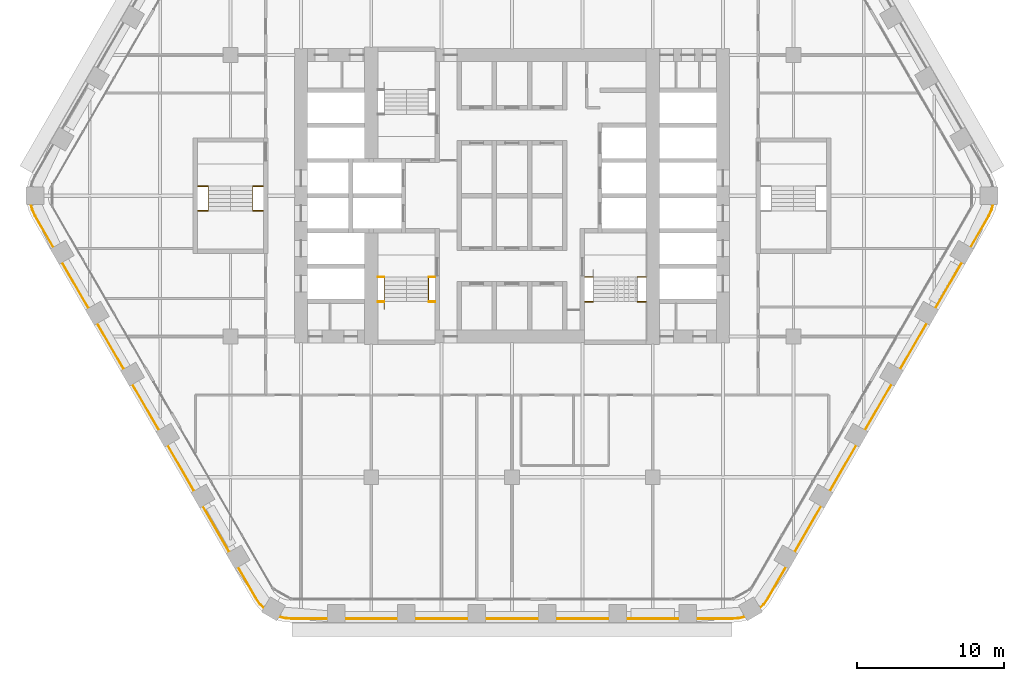
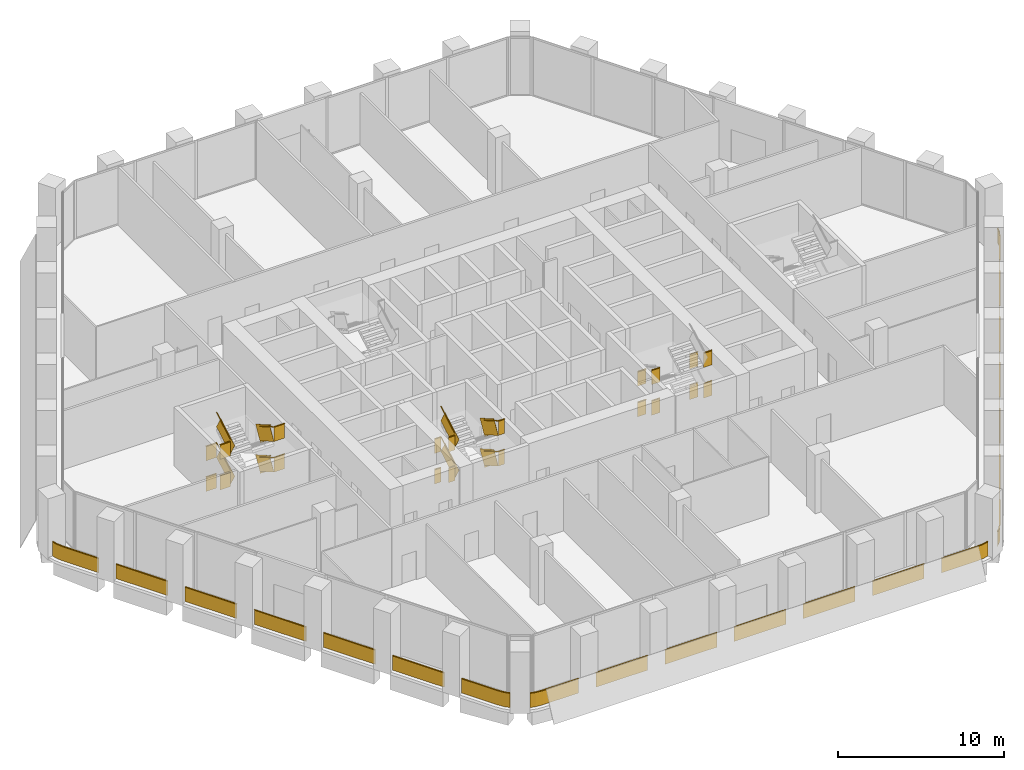
# One storey, part 22 of 23: 8 railings.
"""IFC4 building model written with IfcOpenShell, lengths in metres."""

from ifc_helpers import new_model, si_unit, direction, frame, frame_2d, origin, origin_2d, place, context, subcontext, project, spatial, rectangle, extrude, material, type_object, element, save


model = new_model("IFC4")

# Units and contexts
model_context = context("Model", 3, precision=1e-05, world=origin(), true_north=direction((0.0, 1.0)))
body_context = subcontext(model_context, "Body", "Model", "MODEL_VIEW")
ifc_project = project(units=[si_unit("LENGTHUNIT", "METRE"), si_unit("AREAUNIT", "SQUARE_METRE"), si_unit("VOLUMEUNIT", "CUBIC_METRE"), si_unit("PLANEANGLEUNIT", "RADIAN"), si_unit("MASSUNIT", "GRAM", prefix="KILO")], contexts=[model_context])

# Site, building, storey
site_placement = place(None, origin())
site = spatial("IfcSite", under=ifc_project, at=site_placement, CompositionType="ELEMENT")
building_placement = place(site_placement, origin())
building = spatial("IfcBuilding", under=site, at=building_placement, Name="Kolab Exchange Tower", CompositionType="ELEMENT")
storey_placement = place(building_placement, frame((0.0, 0.0, 100.39990234375)))
storey = spatial("IfcBuildingStorey", under=building, at=storey_placement, Name="L19", CompositionType="ELEMENT", Elevation=100.39990234375)

# Railings
ifc_material_1 = material(Name="Stainless steel 316", Category="steel")
railing_type_1 = type_object("IfcRailingType", Name="GUARD 1100", PredefinedType="GUARDRAIL", material=ifc_material_1)
railing_1_placement = place(storey_placement, frame((-9.14990234375, -5.550048828125, 0.0)))
element("IfcRailing", 1, at=railing_1_placement, inside=storey, type_object=railing_type_1, Name="Guard ST3", PredefinedType="GUARDRAIL", context=body_context, shape_type="SweptSolid", body=[
    extrude(rectangle(XDim=0.05, YDim=0.05, at=origin_2d()), frame((0.0, 0.0, 1.0751953125), z_axis=(1.0, 0.0, 0.0), x_axis=(0.0, 1.0, 0.0)), (0.0, 0.0, 1.0), 0.43994140625),
    extrude(rectangle(XDim=0.012, YDim=1.05009765625, at=frame_2d((0.0, 0.525146484375))), frame((0.0, 0.0, 0.0), z_axis=(1.0, 0.0, 0.0), x_axis=(0.0, 1.0, 0.0)), (0.0, 0.0, 1.0), 0.43994140625),
    extrude(rectangle(XDim=0.05, YDim=0.05, at=origin_2d()), frame((3.4599609375, 0.0, 1.0751953125), z_axis=(1.0, 0.0, 0.0), x_axis=(0.0, 1.0, 0.0)), (0.0, 0.0, 1.0), 0.43994140625),
    extrude(rectangle(XDim=0.012, YDim=1.05009765625, at=frame_2d((0.0, 0.525146484375))), frame((3.4599609375, 0.0, 0.0), z_axis=(1.0, 0.0, 0.0), x_axis=(0.0, 1.0, 0.0)), (0.0, 0.0, 1.0), 0.43994140625),
    extrude(rectangle(XDim=0.05, YDim=0.05, at=origin_2d()), frame((0.0, -1.679931640625, 2.2001953125), z_axis=(1.0, 0.0, 0.0), x_axis=(0.0, 1.0, 0.0)), (0.0, 0.0, 1.0), 0.43994140625),
    extrude(rectangle(XDim=0.012, YDim=1.05009765625, at=frame_2d((0.0, 0.525146484375))), frame((0.0, -1.679931640625, 1.125), z_axis=(1.0, 0.0, 0.0), x_axis=(0.0, 1.0, 0.0)), (0.0, 0.0, 1.0), 0.43994140625),
    extrude(rectangle(XDim=0.05, YDim=0.05, at=origin_2d()), frame((3.4599609375, -1.679931640625, 2.2001953125), z_axis=(1.0, 0.0, 0.0), x_axis=(0.0, 1.0, 0.0)), (0.0, 0.0, 1.0), 0.43994140625),
    extrude(rectangle(XDim=0.012, YDim=1.05009765625, at=frame_2d((0.0, 0.525146484375))), frame((3.4599609375, -1.679931640625, 1.125), z_axis=(1.0, 0.0, 0.0), x_axis=(0.0, 1.0, 0.0)), (0.0, 0.0, 1.0), 0.43994140625),
    extrude(rectangle(XDim=0.05, YDim=0.05, at=origin_2d()), frame((0.0, 0.0, 3.3251953125), z_axis=(1.0, 0.0, 0.0), x_axis=(0.0, 1.0, 0.0)), (0.0, 0.0, 1.0), 0.43994140625),
    extrude(rectangle(XDim=0.012, YDim=1.05009765625, at=frame_2d((0.0, 0.525146484375))), frame((0.0, 0.0, 2.25), z_axis=(1.0, 0.0, 0.0), x_axis=(0.0, 1.0, 0.0)), (0.0, 0.0, 1.0), 0.43994140625),
    extrude(rectangle(XDim=0.05, YDim=0.05, at=origin_2d()), frame((3.4599609375, 0.0, 3.3251953125), z_axis=(1.0, 0.0, 0.0), x_axis=(0.0, 1.0, 0.0)), (0.0, 0.0, 1.0), 0.43994140625),
    extrude(rectangle(XDim=0.012, YDim=1.05009765625, at=frame_2d((0.0, 0.525146484375))), frame((3.4599609375, 0.0, 2.25), z_axis=(1.0, 0.0, 0.0), x_axis=(0.0, 1.0, 0.0)), (0.0, 0.0, 1.0), 0.43994140625),
    extrude(rectangle(XDim=0.05, YDim=0.05, at=origin_2d()), frame((0.0, -1.679931640625, 4.4501953125), z_axis=(1.0, 0.0, 0.0), x_axis=(0.0, 1.0, 0.0)), (0.0, 0.0, 1.0), 0.43994140625),
    extrude(rectangle(XDim=0.012, YDim=1.05009765625, at=frame_2d((0.0, 0.525146484375))), frame((0.0, -1.679931640625, 3.375), z_axis=(1.0, 0.0, 0.0), x_axis=(0.0, 1.0, 0.0)), (0.0, 0.0, 1.0), 0.43994140625),
    extrude(rectangle(XDim=0.05, YDim=0.05, at=origin_2d()), frame((3.4599609375, -1.679931640625, 4.4501953125), z_axis=(1.0, 0.0, 0.0), x_axis=(0.0, 1.0, 0.0)), (0.0, 0.0, 1.0), 0.43994140625),
    extrude(rectangle(XDim=0.012, YDim=1.05009765625, at=frame_2d((0.0, 0.525146484375))), frame((3.4599609375, -1.679931640625, 3.375), z_axis=(1.0, 0.0, 0.0), x_axis=(0.0, 1.0, 0.0)), (0.0, 0.0, 1.0), 0.43994140625),
])
railing_2_placement = place(storey_placement, frame((-5.68994140625, -5.550048828125, 0.160888671875)))
element("IfcRailing", 2, at=railing_2_placement, inside=storey, type_object=railing_type_1, Name="Handrail guard ST3", PredefinedType="GUARDRAIL", context=body_context, shape_type="SweptSolid", body=[
    extrude(rectangle(XDim=0.05, YDim=0.05, at=origin_2d()), frame((0.0, 0.0, 1.0751953125), z_axis=(0.0, -0.867318599139, 0.497753400378), x_axis=(1.0, 0.0, 0.0)), (0.0, 0.0, 1.0), 1.93701171875),
    extrude(rectangle(XDim=0.012, YDim=1.05009765625, at=frame_2d((0.0, 0.525146484375))), frame((0.0, 0.0, 0.0), z_axis=(0.0, -0.867318599139, 0.497753400378), x_axis=(1.0, 0.0, 0.0)), (0.0, 0.0, 1.0), 1.93701171875),
    extrude(rectangle(XDim=0.05, YDim=0.05, at=origin_2d()), frame((-3.02001953125, -1.679931640625, 2.2001953125), z_axis=(0.0, 0.867318599139, 0.497753400378), x_axis=(-1.0, 0.0, 0.0)), (0.0, 0.0, 1.0), 1.93701171875),
    extrude(rectangle(XDim=0.012, YDim=1.05009765625, at=frame_2d((0.0, 0.525146484375))), frame((-3.02001953125, -1.679931640625, 1.125), z_axis=(0.0, 0.867318599139, 0.497753400378), x_axis=(-1.0, 0.0, 0.0)), (0.0, 0.0, 1.0), 1.93701171875),
    extrude(rectangle(XDim=0.05, YDim=0.05, at=origin_2d()), frame((0.0, 0.0, 3.3251953125), z_axis=(0.0, -0.867318599139, 0.497753400378), x_axis=(1.0, 0.0, 0.0)), (0.0, 0.0, 1.0), 1.93701171875),
    extrude(rectangle(XDim=0.012, YDim=1.05009765625, at=frame_2d((0.0, 0.525146484375))), frame((0.0, 0.0, 2.25), z_axis=(0.0, -0.867318599139, 0.497753400378), x_axis=(1.0, 0.0, 0.0)), (0.0, 0.0, 1.0), 1.93701171875),
    extrude(rectangle(XDim=0.05, YDim=0.05, at=origin_2d()), frame((-3.02001953125, -1.679931640625, 4.4501953125), z_axis=(0.0, 0.867318599139, 0.497753400378), x_axis=(-1.0, 0.0, 0.0)), (0.0, 0.0, 1.0), 1.93701171875),
    extrude(rectangle(XDim=0.012, YDim=1.05009765625, at=frame_2d((0.0, 0.525146484375))), frame((-3.02001953125, -1.679931640625, 3.375), z_axis=(0.0, 0.867318599139, 0.497753400378), x_axis=(-1.0, 0.0, 0.0)), (0.0, 0.0, 1.0), 1.93701171875),
])
railing_3_placement = place(storey_placement, frame((4.949951171875, -5.550048828125, 0.0)))
element("IfcRailing", 3, at=railing_3_placement, inside=storey, type_object=railing_type_1, Name="Guard ST2", PredefinedType="GUARDRAIL", context=body_context, shape_type="SweptSolid", body=[
    extrude(rectangle(XDim=0.05, YDim=0.05, at=origin_2d()), frame((0.0, 0.0, 1.0751953125), z_axis=(1.0, 0.0, 0.0), x_axis=(0.0, 1.0, 0.0)), (0.0, 0.0, 1.0), 0.590087890625),
    extrude(rectangle(XDim=0.012, YDim=1.05009765625, at=frame_2d((0.0, 0.525146484375))), frame((0.0, 0.0, 0.0), z_axis=(1.0, 0.0, 0.0), x_axis=(0.0, 1.0, 0.0)), (0.0, 0.0, 1.0), 0.590087890625),
    extrude(rectangle(XDim=0.05, YDim=0.05, at=origin_2d()), frame((3.610107421875, 0.0, 1.0751953125), z_axis=(1.0, 0.0, 0.0), x_axis=(0.0, 1.0, 0.0)), (0.0, 0.0, 1.0), 0.58984375),
    extrude(rectangle(XDim=0.012, YDim=1.05009765625, at=frame_2d((0.0, 0.525146484375))), frame((3.610107421875, 0.0, 0.0), z_axis=(1.0, 0.0, 0.0), x_axis=(0.0, 1.0, 0.0)), (0.0, 0.0, 1.0), 0.58984375),
    extrude(rectangle(XDim=0.05, YDim=0.05, at=origin_2d()), frame((0.0, -1.679931640625, 2.2001953125), z_axis=(1.0, 0.0, 0.0), x_axis=(0.0, 1.0, 0.0)), (0.0, 0.0, 1.0), 0.590087890625),
    extrude(rectangle(XDim=0.012, YDim=1.05009765625, at=frame_2d((0.0, 0.525146484375))), frame((0.0, -1.679931640625, 1.125), z_axis=(1.0, 0.0, 0.0), x_axis=(0.0, 1.0, 0.0)), (0.0, 0.0, 1.0), 0.590087890625),
    extrude(rectangle(XDim=0.05, YDim=0.05, at=origin_2d()), frame((3.610107421875, -1.679931640625, 2.2001953125), z_axis=(1.0, 0.0, 0.0), x_axis=(0.0, 1.0, 0.0)), (0.0, 0.0, 1.0), 0.58984375),
    extrude(rectangle(XDim=0.012, YDim=1.05009765625, at=frame_2d((0.0, 0.525146484375))), frame((3.610107421875, -1.679931640625, 1.125), z_axis=(1.0, 0.0, 0.0), x_axis=(0.0, 1.0, 0.0)), (0.0, 0.0, 1.0), 0.58984375),
    extrude(rectangle(XDim=0.05, YDim=0.05, at=origin_2d()), frame((0.0, 0.0, 3.3251953125), z_axis=(1.0, 0.0, 0.0), x_axis=(0.0, 1.0, 0.0)), (0.0, 0.0, 1.0), 0.590087890625),
    extrude(rectangle(XDim=0.012, YDim=1.05009765625, at=frame_2d((0.0, 0.525146484375))), frame((0.0, 0.0, 2.25), z_axis=(1.0, 0.0, 0.0), x_axis=(0.0, 1.0, 0.0)), (0.0, 0.0, 1.0), 0.590087890625),
    extrude(rectangle(XDim=0.05, YDim=0.05, at=origin_2d()), frame((3.610107421875, 0.0, 3.3251953125), z_axis=(1.0, 0.0, 0.0), x_axis=(0.0, 1.0, 0.0)), (0.0, 0.0, 1.0), 0.58984375),
    extrude(rectangle(XDim=0.012, YDim=1.05009765625, at=frame_2d((0.0, 0.525146484375))), frame((3.610107421875, 0.0, 2.25), z_axis=(1.0, 0.0, 0.0), x_axis=(0.0, 1.0, 0.0)), (0.0, 0.0, 1.0), 0.58984375),
    extrude(rectangle(XDim=0.05, YDim=0.05, at=origin_2d()), frame((0.0, -1.679931640625, 4.4501953125), z_axis=(1.0, 0.0, 0.0), x_axis=(0.0, 1.0, 0.0)), (0.0, 0.0, 1.0), 0.590087890625),
    extrude(rectangle(XDim=0.012, YDim=1.05009765625, at=frame_2d((0.0, 0.525146484375))), frame((0.0, -1.679931640625, 3.375), z_axis=(1.0, 0.0, 0.0), x_axis=(0.0, 1.0, 0.0)), (0.0, 0.0, 1.0), 0.590087890625),
    extrude(rectangle(XDim=0.05, YDim=0.05, at=origin_2d()), frame((3.610107421875, -1.679931640625, 4.4501953125), z_axis=(1.0, 0.0, 0.0), x_axis=(0.0, 1.0, 0.0)), (0.0, 0.0, 1.0), 0.58984375),
    extrude(rectangle(XDim=0.012, YDim=1.05009765625, at=frame_2d((0.0, 0.525146484375))), frame((3.610107421875, -1.679931640625, 3.375), z_axis=(1.0, 0.0, 0.0), x_axis=(0.0, 1.0, 0.0)), (0.0, 0.0, 1.0), 0.58984375),
])
railing_4_placement = place(storey_placement, frame((-21.449951171875, 0.64990234375, 0.0)))
element("IfcRailing", 4, at=railing_4_placement, inside=storey, type_object=railing_type_1, Name="Guard ST5", PredefinedType="GUARDRAIL", context=body_context, shape_type="SweptSolid", body=[
    extrude(rectangle(XDim=0.05, YDim=0.05, at=origin_2d()), frame((0.0, 0.0, 1.0751953125), z_axis=(1.0, 0.0, 0.0), x_axis=(0.0, 1.0, 0.0)), (0.0, 0.0, 1.0), 0.739990234375),
    extrude(rectangle(XDim=0.012, YDim=1.05009765625, at=frame_2d((0.0, 0.525146484375))), frame((0.0, 0.0, 0.0), z_axis=(1.0, 0.0, 0.0), x_axis=(0.0, 1.0, 0.0)), (0.0, 0.0, 1.0), 0.739990234375),
    extrude(rectangle(XDim=0.05, YDim=0.05, at=origin_2d()), frame((3.760009765625, 0.0, 1.0751953125), z_axis=(1.0, 0.0, 0.0), x_axis=(0.0, 1.0, 0.0)), (0.0, 0.0, 1.0), 0.739990234375),
    extrude(rectangle(XDim=0.012, YDim=1.05009765625, at=frame_2d((0.0, 0.525146484375))), frame((3.760009765625, 0.0, 0.0), z_axis=(1.0, 0.0, 0.0), x_axis=(0.0, 1.0, 0.0)), (0.0, 0.0, 1.0), 0.739990234375),
    extrude(rectangle(XDim=0.05, YDim=0.05, at=origin_2d()), frame((0.0, -1.679931640625, 2.2001953125), z_axis=(1.0, 0.0, 0.0), x_axis=(0.0, 1.0, 0.0)), (0.0, 0.0, 1.0), 0.739990234375),
    extrude(rectangle(XDim=0.012, YDim=1.05009765625, at=frame_2d((0.0, 0.525146484375))), frame((0.0, -1.679931640625, 1.125), z_axis=(1.0, 0.0, 0.0), x_axis=(0.0, 1.0, 0.0)), (0.0, 0.0, 1.0), 0.739990234375),
    extrude(rectangle(XDim=0.05, YDim=0.05, at=origin_2d()), frame((3.760009765625, -1.679931640625, 2.2001953125), z_axis=(1.0, 0.0, 0.0), x_axis=(0.0, 1.0, 0.0)), (0.0, 0.0, 1.0), 0.739990234375),
    extrude(rectangle(XDim=0.012, YDim=1.05009765625, at=frame_2d((0.0, 0.525146484375))), frame((3.760009765625, -1.679931640625, 1.125), z_axis=(1.0, 0.0, 0.0), x_axis=(0.0, 1.0, 0.0)), (0.0, 0.0, 1.0), 0.739990234375),
    extrude(rectangle(XDim=0.05, YDim=0.05, at=origin_2d()), frame((0.0, 0.0, 3.3251953125), z_axis=(1.0, 0.0, 0.0), x_axis=(0.0, 1.0, 0.0)), (0.0, 0.0, 1.0), 0.739990234375),
    extrude(rectangle(XDim=0.012, YDim=1.05009765625, at=frame_2d((0.0, 0.525146484375))), frame((0.0, 0.0, 2.25), z_axis=(1.0, 0.0, 0.0), x_axis=(0.0, 1.0, 0.0)), (0.0, 0.0, 1.0), 0.739990234375),
    extrude(rectangle(XDim=0.05, YDim=0.05, at=origin_2d()), frame((3.760009765625, 0.0, 3.3251953125), z_axis=(1.0, 0.0, 0.0), x_axis=(0.0, 1.0, 0.0)), (0.0, 0.0, 1.0), 0.739990234375),
    extrude(rectangle(XDim=0.012, YDim=1.05009765625, at=frame_2d((0.0, 0.525146484375))), frame((3.760009765625, 0.0, 2.25), z_axis=(1.0, 0.0, 0.0), x_axis=(0.0, 1.0, 0.0)), (0.0, 0.0, 1.0), 0.739990234375),
    extrude(rectangle(XDim=0.05, YDim=0.05, at=origin_2d()), frame((0.0, -1.679931640625, 4.4501953125), z_axis=(1.0, 0.0, 0.0), x_axis=(0.0, 1.0, 0.0)), (0.0, 0.0, 1.0), 0.739990234375),
    extrude(rectangle(XDim=0.012, YDim=1.05009765625, at=frame_2d((0.0, 0.525146484375))), frame((0.0, -1.679931640625, 3.375), z_axis=(1.0, 0.0, 0.0), x_axis=(0.0, 1.0, 0.0)), (0.0, 0.0, 1.0), 0.739990234375),
    extrude(rectangle(XDim=0.05, YDim=0.05, at=origin_2d()), frame((3.760009765625, -1.679931640625, 4.4501953125), z_axis=(1.0, 0.0, 0.0), x_axis=(0.0, 1.0, 0.0)), (0.0, 0.0, 1.0), 0.739990234375),
    extrude(rectangle(XDim=0.012, YDim=1.05009765625, at=frame_2d((0.0, 0.525146484375))), frame((3.760009765625, -1.679931640625, 3.375), z_axis=(1.0, 0.0, 0.0), x_axis=(0.0, 1.0, 0.0)), (0.0, 0.0, 1.0), 0.739990234375),
])
railing_5_placement = place(storey_placement, frame((-17.68994140625, 0.64990234375, 0.160888671875)))
element("IfcRailing", 5, at=railing_5_placement, inside=storey, type_object=railing_type_1, Name="Handrail guard ST5", PredefinedType="GUARDRAIL", context=body_context, shape_type="SweptSolid", body=[
    extrude(rectangle(XDim=0.05, YDim=0.05, at=origin_2d()), frame((0.0, 0.0, 1.0751953125), z_axis=(0.0, -0.867318599139, 0.497753400378), x_axis=(1.0, 0.0, 0.0)), (0.0, 0.0, 1.0), 1.93701171875),
    extrude(rectangle(XDim=0.012, YDim=1.05009765625, at=frame_2d((0.0, 0.525146484375))), frame((0.0, 0.0, 0.0), z_axis=(0.0, -0.867318599139, 0.497753400378), x_axis=(1.0, 0.0, 0.0)), (0.0, 0.0, 1.0), 1.93701171875),
    extrude(rectangle(XDim=0.05, YDim=0.05, at=origin_2d()), frame((-3.02001953125, -1.679931640625, 2.2001953125), z_axis=(0.0, 0.867318599139, 0.497753400378), x_axis=(-1.0, 0.0, 0.0)), (0.0, 0.0, 1.0), 1.93701171875),
    extrude(rectangle(XDim=0.012, YDim=1.05009765625, at=frame_2d((0.0, 0.525146484375))), frame((-3.02001953125, -1.679931640625, 1.125), z_axis=(0.0, 0.867318599139, 0.497753400378), x_axis=(-1.0, 0.0, 0.0)), (0.0, 0.0, 1.0), 1.93701171875),
    extrude(rectangle(XDim=0.05, YDim=0.05, at=origin_2d()), frame((0.0, 0.0, 3.3251953125), z_axis=(0.0, -0.867318599139, 0.497753400378), x_axis=(1.0, 0.0, 0.0)), (0.0, 0.0, 1.0), 1.93701171875),
    extrude(rectangle(XDim=0.012, YDim=1.05009765625, at=frame_2d((0.0, 0.525146484375))), frame((0.0, 0.0, 2.25), z_axis=(0.0, -0.867318599139, 0.497753400378), x_axis=(1.0, 0.0, 0.0)), (0.0, 0.0, 1.0), 1.93701171875),
    extrude(rectangle(XDim=0.05, YDim=0.05, at=origin_2d()), frame((-3.02001953125, -1.679931640625, 4.4501953125), z_axis=(0.0, 0.867318599139, 0.497753400378), x_axis=(-1.0, 0.0, 0.0)), (0.0, 0.0, 1.0), 1.93701171875),
    extrude(rectangle(XDim=0.012, YDim=1.05009765625, at=frame_2d((0.0, 0.525146484375))), frame((-3.02001953125, -1.679931640625, 3.375), z_axis=(0.0, 0.867318599139, 0.497753400378), x_axis=(-1.0, 0.0, 0.0)), (0.0, 0.0, 1.0), 1.93701171875),
])
ifc_material_2 = material(Name="Steel S235", Category="steel")
railing_type_2 = type_object("IfcRailingType", Name="GUARD 1100 GLASS BALUSTRADE AND STEEL TOP RAIL", PredefinedType="GUARDRAIL", material=ifc_material_2)
railing_6_placement = place(storey_placement, frame((16.9208984375, -28.119873046875, 0.0)))
element("IfcRailing", 6, at=railing_6_placement, inside=storey, type_object=railing_type_2, Name="Guard", PredefinedType="GUARDRAIL", context=body_context, shape_type="SweptSolid", body=[
    extrude(rectangle(XDim=0.05, YDim=0.05, at=origin_2d()), frame((0.0, 0.0, 1.0751953125), z_axis=(0.707106781187, 0.707106781187, 0.0), x_axis=(-0.707106781187, 0.707106781187, 0.0)), (0.0, 0.0, 1.0), 0.358642578125),
    extrude(rectangle(XDim=0.012, YDim=1.05009765625, at=frame_2d((0.0, 0.525146484375))), frame((0.0, 0.0, 0.0), z_axis=(0.707106781187, 0.707106781187, 0.0), x_axis=(-0.707106781187, 0.707106781187, 0.0)), (0.0, 0.0, 1.0), 0.358642578125),
    extrude(rectangle(XDim=0.05, YDim=0.05, at=origin_2d()), frame((0.253662109375, 0.253662109375, 1.0751953125), z_axis=(0.573359816273, 0.819303680624, 0.0), x_axis=(-0.819303680624, 0.573359816273, 0.0)), (0.0, 0.0, 1.0), 0.4794921875),
    extrude(rectangle(XDim=0.012, YDim=1.05009765625, at=frame_2d((0.0, 0.525146484375))), frame((0.253662109375, 0.253662109375, 0.0), z_axis=(0.573359816273, 0.819303680624, 0.0), x_axis=(-0.819303680624, 0.573359816273, 0.0)), (0.0, 0.0, 1.0), 0.4794921875),
    extrude(rectangle(XDim=0.05, YDim=0.05, at=origin_2d()), frame((0.528564453125, 0.646484375, 1.0751953125), z_axis=(0.500064973171, 0.865987888257, 0.0), x_axis=(-0.865987888257, 0.500064973171, 0.0)), (0.0, 0.0, 1.0), 2.468017578125),
    extrude(rectangle(XDim=0.012, YDim=1.05009765625, at=frame_2d((0.0, 0.525146484375))), frame((0.528564453125, 0.646484375, 0.0), z_axis=(0.500064973171, 0.865987888257, 0.0), x_axis=(-0.865987888257, 0.500064973171, 0.0)), (0.0, 0.0, 1.0), 2.468017578125),
    extrude(rectangle(XDim=0.05, YDim=0.05, at=origin_2d()), frame((2.362548828125, 3.822998046875, 1.0751953125), z_axis=(0.500012057535, 0.866018442252, 0.0), x_axis=(-0.866018442252, 0.500012057535, 0.0)), (0.0, 0.0, 1.0), 3.60009765625),
    extrude(rectangle(XDim=0.012, YDim=1.05009765625, at=frame_2d((0.0, 0.525146484375))), frame((2.362548828125, 3.822998046875, 0.0), z_axis=(0.500012057535, 0.866018442252, 0.0), x_axis=(-0.866018442252, 0.500012057535, 0.0)), (0.0, 0.0, 1.0), 3.60009765625),
    extrude(rectangle(XDim=0.05, YDim=0.05, at=origin_2d()), frame((4.7626953125, 7.97998046875, 1.0751953125), z_axis=(0.499961193289, 0.866047807691, 0.0), x_axis=(-0.866047807691, 0.499961193289, 0.0)), (0.0, 0.0, 1.0), 3.599853515625),
    extrude(rectangle(XDim=0.012, YDim=1.05009765625, at=frame_2d((0.0, 0.525146484375))), frame((4.7626953125, 7.97998046875, 0.0), z_axis=(0.499961193289, 0.866047807691, 0.0), x_axis=(-0.866047807691, 0.499961193289, 0.0)), (0.0, 0.0, 1.0), 3.599853515625),
    extrude(rectangle(XDim=0.05, YDim=0.05, at=origin_2d()), frame((7.16259765625, 12.13671875, 1.0751953125), z_axis=(0.500012057535, 0.866018442252, 0.0), x_axis=(-0.866018442252, 0.500012057535, 0.0)), (0.0, 0.0, 1.0), 3.60009765625),
    extrude(rectangle(XDim=0.012, YDim=1.05009765625, at=frame_2d((0.0, 0.525146484375))), frame((7.16259765625, 12.13671875, 0.0), z_axis=(0.500012057535, 0.866018442252, 0.0), x_axis=(-0.866018442252, 0.500012057535, 0.0)), (0.0, 0.0, 1.0), 3.60009765625),
    extrude(rectangle(XDim=0.05, YDim=0.05, at=origin_2d()), frame((9.5625, 16.293701171875, 1.0751953125), z_axis=(0.500012057535, 0.866018442252, 0.0), x_axis=(-0.866018442252, 0.500012057535, 0.0)), (0.0, 0.0, 1.0), 3.60009765625),
    extrude(rectangle(XDim=0.012, YDim=1.05009765625, at=frame_2d((0.0, 0.525146484375))), frame((9.5625, 16.293701171875, 0.0), z_axis=(0.500012057535, 0.866018442252, 0.0), x_axis=(-0.866018442252, 0.500012057535, 0.0)), (0.0, 0.0, 1.0), 3.60009765625),
    extrude(rectangle(XDim=0.05, YDim=0.05, at=origin_2d()), frame((11.962646484375, 20.45068359375, 1.0751953125), z_axis=(0.500012057535, 0.866018442252, 0.0), x_axis=(-0.866018442252, 0.500012057535, 0.0)), (0.0, 0.0, 1.0), 3.60009765625),
    extrude(rectangle(XDim=0.012, YDim=1.05009765625, at=frame_2d((0.0, 0.525146484375))), frame((11.962646484375, 20.45068359375, 0.0), z_axis=(0.500012057535, 0.866018442252, 0.0), x_axis=(-0.866018442252, 0.500012057535, 0.0)), (0.0, 0.0, 1.0), 3.60009765625),
    extrude(rectangle(XDim=0.05, YDim=0.05, at=origin_2d()), frame((14.362548828125, 24.607666015625, 1.0751953125), z_axis=(0.500064973171, 0.865987888257, 0.0), x_axis=(-0.865987888257, 0.500064973171, 0.0)), (0.0, 0.0, 1.0), 2.468017578125),
    extrude(rectangle(XDim=0.012, YDim=1.05009765625, at=frame_2d((0.0, 0.525146484375))), frame((14.362548828125, 24.607666015625, 0.0), z_axis=(0.500064973171, 0.865987888257, 0.0), x_axis=(-0.865987888257, 0.500064973171, 0.0)), (0.0, 0.0, 1.0), 2.468017578125),
    extrude(rectangle(XDim=0.05, YDim=0.05, at=origin_2d()), frame((15.5966796875, 26.744873046875, 1.0751953125), z_axis=(0.422383329074, 0.906417300872, 0.0), x_axis=(-0.906417300872, 0.422383329074, 0.0)), (0.0, 0.0, 1.0), 0.479248046875),
    extrude(rectangle(XDim=0.012, YDim=1.05009765625, at=frame_2d((0.0, 0.525146484375))), frame((15.5966796875, 26.744873046875, 0.0), z_axis=(0.422383329074, 0.906417300872, 0.0), x_axis=(-0.906417300872, 0.422383329074, 0.0)), (0.0, 0.0, 1.0), 0.479248046875),
    extrude(rectangle(XDim=0.05, YDim=0.05, at=origin_2d()), frame((15.799072265625, 27.17919921875, 1.0751953125), z_axis=(0.259144041577, 0.965838685141, 0.0), x_axis=(-0.965838685141, 0.259144041577, 0.0)), (0.0, 0.0, 1.0), 0.35888671875),
    extrude(rectangle(XDim=0.012, YDim=1.05009765625, at=frame_2d((0.0, 0.525146484375))), frame((15.799072265625, 27.17919921875, 0.0), z_axis=(0.259144041577, 0.965838685141, 0.0), x_axis=(-0.965838685141, 0.259144041577, 0.0)), (0.0, 0.0, 1.0), 0.35888671875),
])
railing_7_placement = place(storey_placement, frame((-15.89208984375, -28.7138671875, 0.0)))
element("IfcRailing", 7, at=railing_7_placement, inside=storey, type_object=railing_type_2, Name="Guard", PredefinedType="GUARDRAIL", context=body_context, shape_type="SweptSolid", body=[
    extrude(rectangle(XDim=0.05, YDim=0.05, at=origin_2d()), frame((0.0, 0.0, 1.0751953125), z_axis=(0.966008746817, -0.258509382951, 0.0), x_axis=(0.258509382951, 0.966008746817, 0.0)), (0.0, 0.0, 1.0), 0.35888671875),
    extrude(rectangle(XDim=0.012, YDim=1.05009765625, at=frame_2d((0.0, 0.525146484375))), frame((0.0, 0.0, 0.0), z_axis=(0.966008746817, -0.258509382951, 0.0), x_axis=(0.258509382951, 0.966008746817, 0.0)), (0.0, 0.0, 1.0), 0.35888671875),
    extrude(rectangle(XDim=0.05, YDim=0.05, at=origin_2d()), frame((0.3466796875, -0.0927734375, 1.0751953125), z_axis=(0.996200348447, -0.087091134757, 0.0), x_axis=(0.087091134757, 0.996200348447, 0.0)), (0.0, 0.0, 1.0), 0.479248046875),
    extrude(rectangle(XDim=0.012, YDim=1.05009765625, at=frame_2d((0.0, 0.525146484375))), frame((0.3466796875, -0.0927734375, 0.0), z_axis=(0.996200348447, -0.087091134757, 0.0), x_axis=(0.087091134757, 0.996200348447, 0.0)), (0.0, 0.0, 1.0), 0.479248046875),
    extrude(rectangle(XDim=0.05, YDim=0.05, at=origin_2d()), frame((0.82421875, -0.134521484375, 1.0751953125), z_axis=(1.0, 0.0, 0.0), x_axis=(0.0, 1.0, 0.0)), (0.0, 0.0, 1.0), 2.4677734375),
    extrude(rectangle(XDim=0.012, YDim=1.05009765625, at=frame_2d((0.0, 0.525146484375))), frame((0.82421875, -0.134521484375, 0.0), z_axis=(1.0, 0.0, 0.0), x_axis=(0.0, 1.0, 0.0)), (0.0, 0.0, 1.0), 2.4677734375),
    extrude(rectangle(XDim=0.05, YDim=0.05, at=origin_2d()), frame((4.4921875, -0.134521484375, 1.0751953125), z_axis=(1.0, 0.0, 0.0), x_axis=(0.0, 1.0, 0.0)), (0.0, 0.0, 1.0), 3.599853515625),
    extrude(rectangle(XDim=0.012, YDim=1.05009765625, at=frame_2d((0.0, 0.525146484375))), frame((4.4921875, -0.134521484375, 0.0), z_axis=(1.0, 0.0, 0.0), x_axis=(0.0, 1.0, 0.0)), (0.0, 0.0, 1.0), 3.599853515625),
    extrude(rectangle(XDim=0.05, YDim=0.05, at=origin_2d()), frame((9.2919921875, -0.134521484375, 1.0751953125), z_axis=(1.0, 0.0, 0.0), x_axis=(0.0, 1.0, 0.0)), (0.0, 0.0, 1.0), 3.60009765625),
    extrude(rectangle(XDim=0.012, YDim=1.05009765625, at=frame_2d((0.0, 0.525146484375))), frame((9.2919921875, -0.134521484375, 0.0), z_axis=(1.0, 0.0, 0.0), x_axis=(0.0, 1.0, 0.0)), (0.0, 0.0, 1.0), 3.60009765625),
    extrude(rectangle(XDim=0.05, YDim=0.05, at=origin_2d()), frame((14.092041015625, -0.134521484375, 1.0751953125), z_axis=(1.0, 0.0, 0.0), x_axis=(0.0, 1.0, 0.0)), (0.0, 0.0, 1.0), 3.60009765625),
    extrude(rectangle(XDim=0.012, YDim=1.05009765625, at=frame_2d((0.0, 0.525146484375))), frame((14.092041015625, -0.134521484375, 0.0), z_axis=(1.0, 0.0, 0.0), x_axis=(0.0, 1.0, 0.0)), (0.0, 0.0, 1.0), 3.60009765625),
    extrude(rectangle(XDim=0.05, YDim=0.05, at=origin_2d()), frame((18.89208984375, -0.134521484375, 1.0751953125), z_axis=(1.0, 0.0, 0.0), x_axis=(0.0, 1.0, 0.0)), (0.0, 0.0, 1.0), 3.60009765625),
    extrude(rectangle(XDim=0.012, YDim=1.05009765625, at=frame_2d((0.0, 0.525146484375))), frame((18.89208984375, -0.134521484375, 0.0), z_axis=(1.0, 0.0, 0.0), x_axis=(0.0, 1.0, 0.0)), (0.0, 0.0, 1.0), 3.60009765625),
    extrude(rectangle(XDim=0.05, YDim=0.05, at=origin_2d()), frame((23.692138671875, -0.134521484375, 1.0751953125), z_axis=(1.0, 0.0, 0.0), x_axis=(0.0, 1.0, 0.0)), (0.0, 0.0, 1.0), 3.599853515625),
    extrude(rectangle(XDim=0.012, YDim=1.05009765625, at=frame_2d((0.0, 0.525146484375))), frame((23.692138671875, -0.134521484375, 0.0), z_axis=(1.0, 0.0, 0.0), x_axis=(0.0, 1.0, 0.0)), (0.0, 0.0, 1.0), 3.599853515625),
    extrude(rectangle(XDim=0.05, YDim=0.05, at=origin_2d()), frame((28.4921875, -0.134521484375, 1.0751953125), z_axis=(1.0, 0.0, 0.0), x_axis=(0.0, 1.0, 0.0)), (0.0, 0.0, 1.0), 2.4677734375),
    extrude(rectangle(XDim=0.012, YDim=1.05009765625, at=frame_2d((0.0, 0.525146484375))), frame((28.4921875, -0.134521484375, 0.0), z_axis=(1.0, 0.0, 0.0), x_axis=(0.0, 1.0, 0.0)), (0.0, 0.0, 1.0), 2.4677734375),
    extrude(rectangle(XDim=0.05, YDim=0.05, at=origin_2d()), frame((30.9599609375, -0.134521484375, 1.0751953125), z_axis=(0.996200348447, 0.087091134757, 0.0), x_axis=(-0.087091134757, 0.996200348447, 0.0)), (0.0, 0.0, 1.0), 0.479248046875),
    extrude(rectangle(XDim=0.012, YDim=1.05009765625, at=frame_2d((0.0, 0.525146484375))), frame((30.9599609375, -0.134521484375, 0.0), z_axis=(0.996200348447, 0.087091134757, 0.0), x_axis=(-0.087091134757, 0.996200348447, 0.0)), (0.0, 0.0, 1.0), 0.479248046875),
    extrude(rectangle(XDim=0.05, YDim=0.05, at=origin_2d()), frame((31.4375, -0.0927734375, 1.0751953125), z_axis=(0.966008746817, 0.258509382951, 0.0), x_axis=(-0.258509382951, 0.966008746817, 0.0)), (0.0, 0.0, 1.0), 0.35888671875),
    extrude(rectangle(XDim=0.012, YDim=1.05009765625, at=frame_2d((0.0, 0.525146484375))), frame((31.4375, -0.0927734375, 0.0), z_axis=(0.966008746817, 0.258509382951, 0.0), x_axis=(-0.258509382951, 0.966008746817, 0.0)), (0.0, 0.0, 1.0), 0.35888671875),
])
railing_8_placement = place(storey_placement, frame((-32.81298828125, -0.593994140625, 0.0)))
element("IfcRailing", 8, at=railing_8_placement, inside=storey, type_object=railing_type_2, Name="Guard", PredefinedType="GUARDRAIL", context=body_context, shape_type="SweptSolid", body=[
    extrude(rectangle(XDim=0.05, YDim=0.05, at=origin_2d()), frame((0.0, 0.0, 1.0751953125), z_axis=(0.259144041577, -0.965838685141, 0.0), x_axis=(0.965838685141, 0.259144041577, 0.0)), (0.0, 0.0, 1.0), 0.35888671875),
    extrude(rectangle(XDim=0.012, YDim=1.05009765625, at=frame_2d((0.0, 0.525146484375))), frame((0.0, 0.0, 0.0), z_axis=(0.259144041577, -0.965838685141, 0.0), x_axis=(0.965838685141, 0.259144041577, 0.0)), (0.0, 0.0, 1.0), 0.35888671875),
    extrude(rectangle(XDim=0.05, YDim=0.05, at=origin_2d()), frame((0.093017578125, -0.3466796875, 1.0751953125), z_axis=(0.422383329074, -0.906417300872, 0.0), x_axis=(0.906417300872, 0.422383329074, 0.0)), (0.0, 0.0, 1.0), 0.479248046875),
    extrude(rectangle(XDim=0.012, YDim=1.05009765625, at=frame_2d((0.0, 0.525146484375))), frame((0.093017578125, -0.3466796875, 0.0), z_axis=(0.422383329074, -0.906417300872, 0.0), x_axis=(0.906417300872, 0.422383329074, 0.0)), (0.0, 0.0, 1.0), 0.479248046875),
    extrude(rectangle(XDim=0.05, YDim=0.05, at=origin_2d()), frame((0.29541015625, -0.781005859375, 1.0751953125), z_axis=(0.500064973171, -0.865987888257, 0.0), x_axis=(0.865987888257, 0.500064973171, 0.0)), (0.0, 0.0, 1.0), 2.468017578125),
    extrude(rectangle(XDim=0.012, YDim=1.05009765625, at=frame_2d((0.0, 0.525146484375))), frame((0.29541015625, -0.781005859375, 0.0), z_axis=(0.500064973171, -0.865987888257, 0.0), x_axis=(0.865987888257, 0.500064973171, 0.0)), (0.0, 0.0, 1.0), 2.468017578125),
    extrude(rectangle(XDim=0.05, YDim=0.05, at=origin_2d()), frame((2.12939453125, -3.95751953125, 1.0751953125), z_axis=(0.500012057535, -0.866018442252, 0.0), x_axis=(0.866018442252, 0.500012057535, 0.0)), (0.0, 0.0, 1.0), 3.60009765625),
    extrude(rectangle(XDim=0.012, YDim=1.05009765625, at=frame_2d((0.0, 0.525146484375))), frame((2.12939453125, -3.95751953125, 0.0), z_axis=(0.500012057535, -0.866018442252, 0.0), x_axis=(0.866018442252, 0.500012057535, 0.0)), (0.0, 0.0, 1.0), 3.60009765625),
    extrude(rectangle(XDim=0.05, YDim=0.05, at=origin_2d()), frame((4.529541015625, -8.114501953125, 1.0751953125), z_axis=(0.500012057535, -0.866018442252, 0.0), x_axis=(0.866018442252, 0.500012057535, 0.0)), (0.0, 0.0, 1.0), 3.60009765625),
    extrude(rectangle(XDim=0.012, YDim=1.05009765625, at=frame_2d((0.0, 0.525146484375))), frame((4.529541015625, -8.114501953125, 0.0), z_axis=(0.500012057535, -0.866018442252, 0.0), x_axis=(0.866018442252, 0.500012057535, 0.0)), (0.0, 0.0, 1.0), 3.60009765625),
    extrude(rectangle(XDim=0.05, YDim=0.05, at=origin_2d()), frame((6.929443359375, -12.271484375, 1.0751953125), z_axis=(0.500012057535, -0.866018442252, 0.0), x_axis=(0.866018442252, 0.500012057535, 0.0)), (0.0, 0.0, 1.0), 3.60009765625),
    extrude(rectangle(XDim=0.012, YDim=1.05009765625, at=frame_2d((0.0, 0.525146484375))), frame((6.929443359375, -12.271484375, 0.0), z_axis=(0.500012057535, -0.866018442252, 0.0), x_axis=(0.866018442252, 0.500012057535, 0.0)), (0.0, 0.0, 1.0), 3.60009765625),
    extrude(rectangle(XDim=0.05, YDim=0.05, at=origin_2d()), frame((9.32958984375, -16.42822265625, 1.0751953125), z_axis=(0.499961193289, -0.866047807691, 0.0), x_axis=(0.866047807691, 0.499961193289, 0.0)), (0.0, 0.0, 1.0), 3.599853515625),
    extrude(rectangle(XDim=0.012, YDim=1.05009765625, at=frame_2d((0.0, 0.525146484375))), frame((9.32958984375, -16.42822265625, 0.0), z_axis=(0.499961193289, -0.866047807691, 0.0), x_axis=(0.866047807691, 0.499961193289, 0.0)), (0.0, 0.0, 1.0), 3.599853515625),
    extrude(rectangle(XDim=0.05, YDim=0.05, at=origin_2d()), frame((11.7294921875, -20.585205078125, 1.0751953125), z_axis=(0.500012057535, -0.866018442252, 0.0), x_axis=(0.866018442252, 0.500012057535, 0.0)), (0.0, 0.0, 1.0), 3.60009765625),
    extrude(rectangle(XDim=0.012, YDim=1.05009765625, at=frame_2d((0.0, 0.525146484375))), frame((11.7294921875, -20.585205078125, 0.0), z_axis=(0.500012057535, -0.866018442252, 0.0), x_axis=(0.866018442252, 0.500012057535, 0.0)), (0.0, 0.0, 1.0), 3.60009765625),
    extrude(rectangle(XDim=0.05, YDim=0.05, at=origin_2d()), frame((14.12939453125, -24.7421875, 1.0751953125), z_axis=(0.500064973171, -0.865987888257, 0.0), x_axis=(0.865987888257, 0.500064973171, 0.0)), (0.0, 0.0, 1.0), 2.468017578125),
    extrude(rectangle(XDim=0.012, YDim=1.05009765625, at=frame_2d((0.0, 0.525146484375))), frame((14.12939453125, -24.7421875, 0.0), z_axis=(0.500064973171, -0.865987888257, 0.0), x_axis=(0.865987888257, 0.500064973171, 0.0)), (0.0, 0.0, 1.0), 2.468017578125),
    extrude(rectangle(XDim=0.05, YDim=0.05, at=origin_2d()), frame((15.363525390625, -26.87939453125, 1.0751953125), z_axis=(0.573359816273, -0.819303680624, 0.0), x_axis=(0.819303680624, 0.573359816273, 0.0)), (0.0, 0.0, 1.0), 0.4794921875),
    extrude(rectangle(XDim=0.012, YDim=1.05009765625, at=frame_2d((0.0, 0.525146484375))), frame((15.363525390625, -26.87939453125, 0.0), z_axis=(0.573359816273, -0.819303680624, 0.0), x_axis=(0.819303680624, 0.573359816273, 0.0)), (0.0, 0.0, 1.0), 0.4794921875),
    extrude(rectangle(XDim=0.05, YDim=0.05, at=origin_2d()), frame((15.638427734375, -27.272216796875, 1.0751953125), z_axis=(0.707106781187, -0.707106781187, 0.0), x_axis=(0.707106781187, 0.707106781187, 0.0)), (0.0, 0.0, 1.0), 0.358642578125),
    extrude(rectangle(XDim=0.012, YDim=1.05009765625, at=frame_2d((0.0, 0.525146484375))), frame((15.638427734375, -27.272216796875, 0.0), z_axis=(0.707106781187, -0.707106781187, 0.0), x_axis=(0.707106781187, 0.707106781187, 0.0)), (0.0, 0.0, 1.0), 0.358642578125),
])

save(model, "model.ifc")
